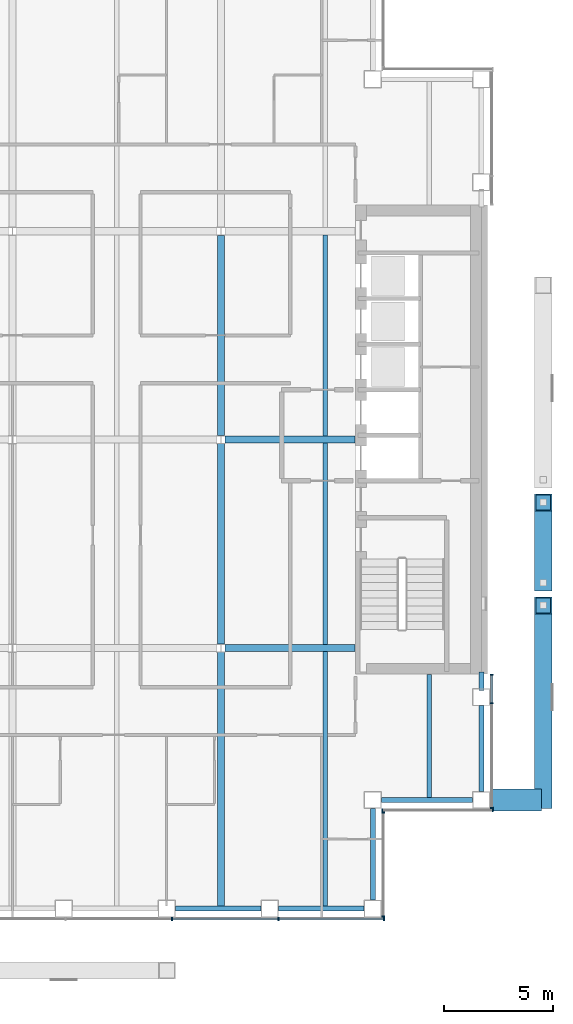
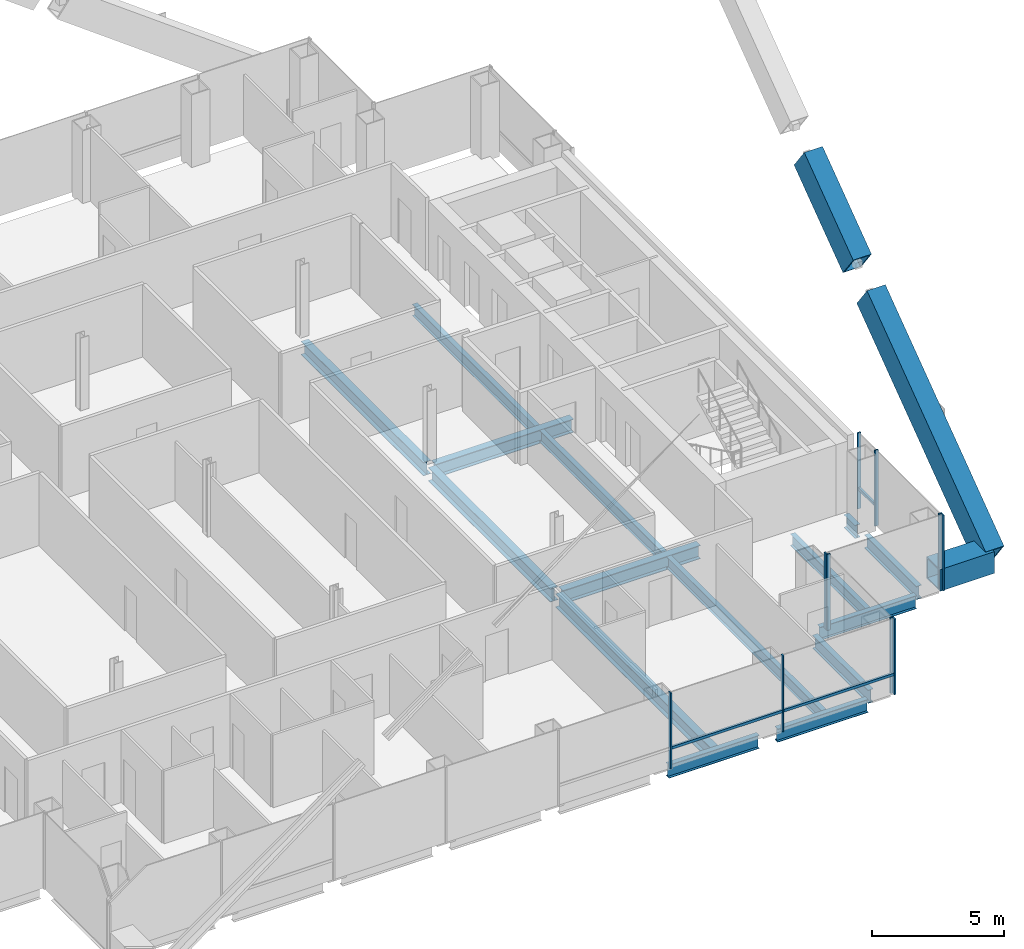
# One storey, part 6 of 17: 16 beams, 15 members, 4 elements without a shape of their own.
"""IFC4 building model written with IfcOpenShell, lengths in metres."""

from ifc_helpers import new_model, si_unit, direction, frame, origin, origin_2d, place, context, subcontext, project, spatial, rectangle, hollow_rectangle, i_section, extrude, material, material_profile, profile_set, type_object, element, aggregate, save


model = new_model("IFC4")

# Units and contexts
model_context = context("Model", 3, precision=1e-05, world=origin(), true_north=direction((0.0, 1.0)))
body_context = subcontext(model_context, "Body", "Model", "MODEL_VIEW")
ifc_project = project(units=[si_unit("LENGTHUNIT", "METRE"), si_unit("AREAUNIT", "SQUARE_METRE"), si_unit("VOLUMEUNIT", "CUBIC_METRE"), si_unit("PLANEANGLEUNIT", "RADIAN"), si_unit("MASSUNIT", "GRAM", prefix="KILO")], contexts=[model_context])

# Site, building, storey
site_placement = place(None, origin())
site = spatial("IfcSite", under=ifc_project, at=site_placement, CompositionType="ELEMENT")
building_placement = place(site_placement, origin())
building = spatial("IfcBuilding", under=site, at=building_placement, Name="Cobrizo Arcos Hotel Tower", CompositionType="ELEMENT")
storey_placement = place(building_placement, frame((0.0, 0.0, 151.5)))
storey = spatial("IfcBuildingStorey", under=building, at=storey_placement, Name="L38", CompositionType="ELEMENT", Elevation=151.5)

# Beam
ifc_material_1 = material(Name="Steel ASTM A572 Grade 50", Category="steel")
ifc_material_profile_1 = material_profile(ifc_material_1, hollow_rectangle(XDim=1.0, YDim=1.0, WallThickness=0.06005859375, at=origin_2d()), Name="BOX 1000X1000X60")
ifc_profile_set_1 = profile_set([ifc_material_profile_1], Name="Steel ASTM A572 Grade 50")
beam_type_1 = type_object("IfcBeamType", Name="BOX 1000X1000X60 brace connector strut", PredefinedType="BEAM", material=ifc_profile_set_1)
beam_1_placement = place(storey_placement, frame((21.989990234375, -16.60009765625, 0.5), z_axis=(1.0, 0.0, 0.0), x_axis=(0.0, 1.0, 0.0)))
element("IfcBeam", 1, at=beam_1_placement, inside=storey, type_object=beam_type_1, Name="Perimeter brace stub BS1, zone Z3, east face, offset -16.60 m, L38", PredefinedType="BEAM", context=body_context, shape_type="SweptSolid", body=[
    extrude(hollow_rectangle(XDim=1.0, YDim=1.0, WallThickness=0.06005859375, at=origin_2d()), origin(), (0.0, 0.0, 1.0), 2.380126953125),
])

# Members
ifc_material_profile_2 = material_profile(ifc_material_1, hollow_rectangle(XDim=0.800048828125, YDim=1.300048828125, WallThickness=0.06005859375, at=origin_2d()), Name="BOX 800X1300X60")
ifc_profile_set_2 = profile_set([ifc_material_profile_2], Name="Steel ASTM A572 Grade 50")
member_type_1 = type_object("IfcMemberType", Name="BOX 800X1300X60 perimeter brace", PredefinedType="BRACE", material=ifc_profile_set_2)
member_1_placement = place(storey_placement, frame((24.449951171875, -16.60009765625, 0.5), z_axis=(0.0, 0.804628681962, 0.593778312305), x_axis=(-1.0, 0.0, 0.0)))
element("IfcMember", 2, at=member_1_placement, inside=storey, type_object=member_type_1, Name="Perimeter brace PBR3, zone Z3, east face, no. 06", PredefinedType="BRACE", context=body_context, shape_type="SweptSolid", body=[
    extrude(hollow_rectangle(XDim=0.800048828125, YDim=1.300048828125, WallThickness=0.06005859375, at=origin_2d()), origin(), (0.0, 0.0, 1.0), 11.138916015625),
])
member_2_placement = place(storey_placement, frame((24.449951171875, -6.591064453125, 7.885986328125), z_axis=(0.0, 0.804612164142, 0.593800694943), x_axis=(-1.0, 0.0, 0.0)))
element("IfcMember", 3, at=member_2_placement, inside=storey, type_object=member_type_1, Name="Perimeter brace PBR3, zone Z3, east face, no. 06b", PredefinedType="BRACE", context=body_context, shape_type="SweptSolid", body=[
    extrude(hollow_rectangle(XDim=0.800048828125, YDim=1.300048828125, WallThickness=0.06005859375, at=origin_2d()), origin(), (0.0, 0.0, 1.0), 4.59423828125),
])

# Curtain wall, members
ifc_material_2 = material(Name="Aluminium 6063-T6 anodised bronze", Category="aluminium")
curtain_wall_type = type_object("IfcCurtainWallType", Name="CW-A guest facade", PredefinedType="NOTDEFINED", material=ifc_material_2)
curtain_wall_1_placement = place(storey_placement, origin())
curtain_wall_1 = element("IfcCurtainWall", 4, at=curtain_wall_1_placement, inside=storey, type_object=curtain_wall_type, Name="CW-A L38 S face", PredefinedType="NOTDEFINED")
ifc_material_profile_3 = material_profile(ifc_material_2, rectangle(XDim=0.14990234375, YDim=0.06005859375, at=origin_2d()), Name="CW-A mullion 150x60")
ifc_profile_set_3 = profile_set([ifc_material_profile_3], Name="Aluminium 6063-T6 anodised bronze")
member_type_2 = type_object("IfcMemberType", Name="CW-A mullion 150x60", PredefinedType="MULLION", material=ifc_profile_set_3)
member_3_placement = place(storey_placement, frame((7.35009765625, -22.074951171875, 0.0), z_axis=(0.0, 0.0, 1.0), x_axis=(0.0, -1.0, 0.0)))
member_3 = element("IfcMember", 5, at=member_3_placement, type_object=member_type_2, Name="CW-A mullion 6", PredefinedType="MULLION", context=body_context, shape_type="SweptSolid", body=[
    extrude(rectangle(XDim=0.14990234375, YDim=0.06005859375, at=origin_2d()), origin(), (0.0, 0.0, 1.0), 3.5),
])
member_4_placement = place(storey_placement, frame((12.25, -22.074951171875, 0.0), z_axis=(0.0, 0.0, 1.0), x_axis=(0.0, -1.0, 0.0)))
member_4 = element("IfcMember", 6, at=member_4_placement, type_object=member_type_2, Name="CW-A mullion 7", PredefinedType="MULLION", context=body_context, shape_type="SweptSolid", body=[
    extrude(rectangle(XDim=0.14990234375, YDim=0.06005859375, at=origin_2d()), origin(), (0.0, 0.0, 1.0), 3.5),
])
member_5_placement = place(storey_placement, frame((17.1201171875, -22.074951171875, 0.0), z_axis=(0.0, 0.0, 1.0), x_axis=(0.0, -1.0, 0.0)))
member_5 = element("IfcMember", 7, at=member_5_placement, type_object=member_type_2, Name="CW-A mullion 8", PredefinedType="MULLION", context=body_context, shape_type="SweptSolid", body=[
    extrude(rectangle(XDim=0.14990234375, YDim=0.06005859375, at=origin_2d()), origin(), (0.0, 0.0, 1.0), 3.5),
])

curtain_wall_2_placement = place(storey_placement, origin())
curtain_wall_2 = element("IfcCurtainWall", 8, at=curtain_wall_2_placement, inside=storey, type_object=curtain_wall_type, Name="CW-A L38 E face", PredefinedType="NOTDEFINED")
member_6_placement = place(storey_placement, frame((17.074951171875, -21.969970703125, 0.0), z_axis=(0.0, 0.0, 1.0), x_axis=(1.0, 0.0, 0.0)))
member_6 = element("IfcMember", 9, at=member_6_placement, type_object=member_type_2, Name="CW-A mullion 1", PredefinedType="MULLION", context=body_context, shape_type="SweptSolid", body=[
    extrude(rectangle(XDim=0.14990234375, YDim=0.06005859375, at=origin_2d()), origin(), (0.0, 0.0, 1.0), 3.5),
])
member_7_placement = place(storey_placement, frame((17.074951171875, -17.179931640625, 0.0), z_axis=(0.0, 0.0, 1.0), x_axis=(1.0, 0.0, 0.0)))
member_7 = element("IfcMember", 10, at=member_7_placement, type_object=member_type_2, Name="CW-A mullion 2", PredefinedType="MULLION", context=body_context, shape_type="SweptSolid", body=[
    extrude(rectangle(XDim=0.14990234375, YDim=0.06005859375, at=origin_2d()), origin(), (0.0, 0.0, 1.0), 3.5),
])
aggregate(curtain_wall_2, [member_6, member_7])

curtain_wall_3_placement = place(storey_placement, origin())
curtain_wall_3 = element("IfcCurtainWall", 11, at=curtain_wall_3_placement, inside=storey, type_object=curtain_wall_type, Name="CW-A L38 S face", PredefinedType="NOTDEFINED")
member_8_placement = place(storey_placement, frame((17.030029296875, -17.074951171875, 0.0), z_axis=(0.0, 0.0, 1.0), x_axis=(0.0, -1.0, 0.0)))
member_8 = element("IfcMember", 12, at=member_8_placement, type_object=member_type_2, Name="CW-A mullion 1", PredefinedType="MULLION", context=body_context, shape_type="SweptSolid", body=[
    extrude(rectangle(XDim=0.14990234375, YDim=0.06005859375, at=origin_2d()), origin(), (0.0, 0.0, 1.0), 3.5),
])
member_9_placement = place(storey_placement, frame((22.1201171875, -17.074951171875, 0.0), z_axis=(0.0, 0.0, 1.0), x_axis=(0.0, -1.0, 0.0)))
member_9 = element("IfcMember", 13, at=member_9_placement, type_object=member_type_2, Name="CW-A mullion 2", PredefinedType="MULLION", context=body_context, shape_type="SweptSolid", body=[
    extrude(rectangle(XDim=0.14990234375, YDim=0.06005859375, at=origin_2d()), origin(), (0.0, 0.0, 1.0), 3.5),
])
aggregate(curtain_wall_3, [member_8, member_9])

curtain_wall_4_placement = place(storey_placement, origin())
curtain_wall_4 = element("IfcCurtainWall", 14, at=curtain_wall_4_placement, inside=storey, type_object=curtain_wall_type, Name="CW-A L38 E face", PredefinedType="NOTDEFINED")
member_10_placement = place(storey_placement, frame((22.074951171875, -16.969970703125, 0.0), z_axis=(0.0, 0.0, 1.0), x_axis=(1.0, 0.0, 0.0)))
member_10 = element("IfcMember", 15, at=member_10_placement, type_object=member_type_2, Name="CW-A mullion 1", PredefinedType="MULLION", context=body_context, shape_type="SweptSolid", body=[
    extrude(rectangle(XDim=0.14990234375, YDim=0.06005859375, at=origin_2d()), origin(), (0.0, 0.0, 1.0), 3.5),
])
member_11_placement = place(storey_placement, frame((22.074951171875, -12.142822265625, 0.0), z_axis=(0.0, 0.0, 1.0), x_axis=(1.0, 0.0, 0.0)))
member_11 = element("IfcMember", 16, at=member_11_placement, type_object=member_type_2, Name="CW-A mullion 2", PredefinedType="MULLION", context=body_context, shape_type="SweptSolid", body=[
    extrude(rectangle(XDim=0.14990234375, YDim=0.06005859375, at=origin_2d()), origin(), (0.0, 0.0, 1.0), 3.5),
])
member_12_placement = place(storey_placement, frame((22.074951171875, -10.830078125, 0.0), z_axis=(0.0, 0.0, 1.0), x_axis=(1.0, 0.0, 0.0)))
member_12 = element("IfcMember", 17, at=member_12_placement, type_object=member_type_2, Name="CW-A mullion 3", PredefinedType="MULLION", context=body_context, shape_type="SweptSolid", body=[
    extrude(rectangle(XDim=0.14990234375, YDim=0.06005859375, at=origin_2d()), origin(), (0.0, 0.0, 1.0), 3.5),
])

# Member
ifc_material_profile_4 = material_profile(ifc_material_2, rectangle(XDim=0.10009765625, YDim=0.1201171875, at=origin_2d()), Name="CW-A transom 120x100")
ifc_profile_set_4 = profile_set([ifc_material_profile_4], Name="Aluminium 6063-T6 anodised bronze")
member_type_3 = type_object("IfcMemberType", Name="CW-A transom 120x100", PredefinedType="USERDEFINED", material=ifc_profile_set_4)
member_13_placement = place(storey_placement, frame((7.3798828125, -22.074951171875, 0.929931640625), z_axis=(1.0, 0.0, 0.0), x_axis=(0.0, 1.0, 0.0)))
member_13 = element("IfcMember", 18, at=member_13_placement, type_object=member_type_3, Name="CW-A transom 1371", ObjectType="TRANSOM", PredefinedType="USERDEFINED", context=body_context, shape_type="SweptSolid", body=[
    extrude(rectangle(XDim=0.10009765625, YDim=0.1201171875, at=origin_2d()), origin(), (0.0, 0.0, 1.0), 4.840087890625),
])

member_14_placement = place(storey_placement, frame((12.280029296875, -22.074951171875, 0.929931640625), z_axis=(1.0, 0.0, 0.0), x_axis=(0.0, 1.0, 0.0)))
member_14 = element("IfcMember", 19, at=member_14_placement, type_object=member_type_3, Name="CW-A transom 1372", ObjectType="TRANSOM", PredefinedType="USERDEFINED", context=body_context, shape_type="SweptSolid", body=[
    extrude(rectangle(XDim=0.10009765625, YDim=0.1201171875, at=origin_2d()), origin(), (0.0, 0.0, 1.0), 4.81005859375),
])

aggregate(curtain_wall_1, [member_3, member_4, member_5, member_13, member_14])

member_15_placement = place(storey_placement, frame((22.074951171875, -12.11279296875, 0.929931640625), z_axis=(0.0, 1.0, 0.0), x_axis=(-1.0, 0.0, 0.0)))
member_15 = element("IfcMember", 20, at=member_15_placement, type_object=member_type_3, Name="CW-A transom 1376", ObjectType="TRANSOM", PredefinedType="USERDEFINED", context=body_context, shape_type="SweptSolid", body=[
    extrude(rectangle(XDim=0.10009765625, YDim=0.1201171875, at=origin_2d()), origin(), (0.0, 0.0, 1.0), 1.252685546875),
])

aggregate(curtain_wall_4, [member_10, member_11, member_12, member_15])

# Beams
ifc_material_3 = material(Name="Steel ASTM A992 Grade 50", Category="steel")
ifc_material_profile_5 = material_profile(ifc_material_3, i_section(OverallWidth=0.209228515625, OverallDepth=0.533447265625, WebThickness=0.01025390625, FlangeThickness=0.015625, at=origin_2d()), Name="W21X62")
ifc_profile_set_5 = profile_set([ifc_material_profile_5], Name="Steel ASTM A992 Grade 50")
beam_type_2 = type_object("IfcBeamType", Name="W21X62 joist", PredefinedType="JOIST", material=ifc_profile_set_5)
beam_2_placement = place(storey_placement, frame((14.39990234375, -21.510009765625, -0.416748046875), z_axis=(0.0, 1.0, 0.0), x_axis=(-1.0, 0.0, 0.0)))
element("IfcBeam", 21, at=beam_2_placement, inside=storey, type_object=beam_type_2, Name="Floor joist J1, L38, no. 015", PredefinedType="JOIST", context=body_context, shape_type="SweptSolid", body=[
    extrude(i_section(OverallWidth=0.209228515625, OverallDepth=0.533447265625, WebThickness=0.01025390625, FlangeThickness=0.015625, at=origin_2d()), origin(), (0.0, 0.0, 1.0), 11.74609375),
])
for number, where, z_axis, x_axis, name in (
    (22, (14.39990234375, -9.43603515625, -0.416748046875), (0.0, 1.0, 0.0), (-1.0, 0.0, 0.0), "Floor joist J1, L38, no. 016"),
    (23, (14.39990234375, 0.163818359375, -0.416748046875), (0.0, 1.0, 0.0), (-1.0, 0.0, 0.0), "Floor joist J1, L38, no. 017"),
):
    element("IfcBeam", number, at=place(storey_placement, frame(where, z_axis=z_axis, x_axis=x_axis)), inside=storey, type_object=beam_type_2, Name=name, PredefinedType="JOIST", context=body_context, shape_type="SweptSolid", body=[
        extrude(i_section(OverallWidth=0.209228515625, OverallDepth=0.533447265625, WebThickness=0.01025390625, FlangeThickness=0.015625, at=origin_2d()), origin(), (0.0, 0.0, 1.0), 9.272216796875),
    ])
beam_3_placement = place(storey_placement, frame((19.199951171875, -16.510009765625, -0.416748046875), z_axis=(0.0, 1.0, 0.0), x_axis=(-1.0, 0.0, 0.0)))
element("IfcBeam", 24, at=beam_3_placement, inside=storey, type_object=beam_type_2, Name="Floor joist J1, L38, no. 019", PredefinedType="JOIST", context=body_context, shape_type="SweptSolid", body=[
    extrude(i_section(OverallWidth=0.209228515625, OverallDepth=0.533447265625, WebThickness=0.01025390625, FlangeThickness=0.015625, at=origin_2d()), origin(), (0.0, 0.0, 1.0), 5.699951171875),
])
ifc_material_profile_6 = material_profile(ifc_material_3, i_section(OverallWidth=0.32763671875, OverallDepth=0.622314453125, WebThickness=0.015380859375, FlangeThickness=0.0244140625, at=origin_2d()), Name="W24X131")
ifc_profile_set_6 = profile_set([ifc_material_profile_6], Name="Steel ASTM A992 Grade 50")
beam_type_3 = type_object("IfcBeamType", Name="W24X131 girder", PredefinedType="BEAM", material=ifc_profile_set_6)
for number, where, z_axis, x_axis, name in (
    (25, (9.78662109375, -9.60009765625, -0.461181640625), (1.0, 0.0, 0.0), (0.0, 1.0, 0.0), "Floor girder G1, L38, no. 004"),
    (26, (9.78662109375, 0.0, -0.461181640625), (1.0, 0.0, 0.0), (0.0, 1.0, 0.0), "Floor girder G1, L38, no. 008"),
):
    element("IfcBeam", number, at=place(storey_placement, frame(where, z_axis=z_axis, x_axis=x_axis)), inside=storey, type_object=beam_type_3, Name=name, PredefinedType="BEAM", context=body_context, shape_type="SweptSolid", body=[
        extrude(i_section(OverallWidth=0.32763671875, OverallDepth=0.622314453125, WebThickness=0.015380859375, FlangeThickness=0.0244140625, at=origin_2d()), origin(), (0.0, 0.0, 1.0), 6.00341796875),
    ])
beam_4_placement = place(storey_placement, frame((9.60009765625, -21.510009765625, -0.461181640625), z_axis=(0.0, 1.0, 0.0), x_axis=(-1.0, 0.0, 0.0)))
element("IfcBeam", 27, at=beam_4_placement, inside=storey, type_object=beam_type_3, Name="Floor girder G1, L38, no. 021", PredefinedType="BEAM", context=body_context, shape_type="SweptSolid", body=[
    extrude(i_section(OverallWidth=0.32763671875, OverallDepth=0.622314453125, WebThickness=0.015380859375, FlangeThickness=0.0244140625, at=origin_2d()), origin(), (0.0, 0.0, 1.0), 11.723388671875),
])
for number, where, z_axis, x_axis, name in (
    (28, (9.60009765625, -9.413330078125, -0.461181640625), (0.0, 1.0, 0.0), (-1.0, 0.0, 0.0), "Floor girder G1, L38, no. 022"),
    (29, (9.60009765625, 0.186767578125, -0.461181640625), (0.0, 1.0, 0.0), (-1.0, 0.0, 0.0), "Floor girder G1, L38, no. 023"),
):
    element("IfcBeam", number, at=place(storey_placement, frame(where, z_axis=z_axis, x_axis=x_axis)), inside=storey, type_object=beam_type_3, Name=name, PredefinedType="BEAM", context=body_context, shape_type="SweptSolid", body=[
        extrude(i_section(OverallWidth=0.32763671875, OverallDepth=0.622314453125, WebThickness=0.015380859375, FlangeThickness=0.0244140625, at=origin_2d()), origin(), (0.0, 0.0, 1.0), 9.2265625),
    ])
ifc_material_profile_7 = material_profile(ifc_material_3, i_section(OverallWidth=0.228271484375, OverallDepth=0.607177734375, WebThickness=0.01123046875, FlangeThickness=0.017333984375, at=origin_2d()), Name="W24X76")
ifc_profile_set_7 = profile_set([ifc_material_profile_7], Name="Steel ASTM A992 Grade 50")
beam_type_4 = type_object("IfcBeamType", Name="W24X76 spandrel", PredefinedType="SPANDREL", material=ifc_profile_set_7)
beam_5_placement = place(storey_placement, frame((7.513916015625, -21.60009765625, -0.45361328125), z_axis=(1.0, 0.0, 0.0), x_axis=(0.0, 1.0, 0.0)))
element("IfcBeam", 30, at=beam_5_placement, inside=storey, type_object=beam_type_4, Name="Spandrel beam W24X76, L38, no. 006", PredefinedType="SPANDREL", context=body_context, shape_type="SweptSolid", body=[
    extrude(i_section(OverallWidth=0.228271484375, OverallDepth=0.607177734375, WebThickness=0.01123046875, FlangeThickness=0.017333984375, at=origin_2d()), origin(), (0.0, 0.0, 1.0), 3.943115234375),
])
beam_6_placement = place(storey_placement, frame((12.257080078125, -21.60009765625, -0.45361328125), z_axis=(1.0, 0.0, 0.0), x_axis=(0.0, 1.0, 0.0)))
element("IfcBeam", 31, at=beam_6_placement, inside=storey, type_object=beam_type_4, Name="Spandrel beam W24X76, L38, no. 007", PredefinedType="SPANDREL", context=body_context, shape_type="SweptSolid", body=[
    extrude(i_section(OverallWidth=0.228271484375, OverallDepth=0.607177734375, WebThickness=0.01123046875, FlangeThickness=0.017333984375, at=origin_2d()), origin(), (0.0, 0.0, 1.0), 3.94287109375),
])
for number, where, z_axis, x_axis, name in (
    (32, (16.60009765625, -21.199951171875, -0.45361328125), (0.0, 1.0, 0.0), (-1.0, 0.0, 0.0), "Spandrel beam W24X76, L38, no. 008"),
    (33, (17.0, -16.60009765625, -0.45361328125), (1.0, 0.0, 0.0), (0.0, 1.0, 0.0), "Spandrel beam W24X76, L38, no. 009"),
):
    element("IfcBeam", number, at=place(storey_placement, frame(where, z_axis=z_axis, x_axis=x_axis)), inside=storey, type_object=beam_type_4, Name=name, PredefinedType="SPANDREL", context=body_context, shape_type="SweptSolid", body=[
        extrude(i_section(OverallWidth=0.228271484375, OverallDepth=0.607177734375, WebThickness=0.01123046875, FlangeThickness=0.017333984375, at=origin_2d()), origin(), (0.0, 0.0, 1.0), 4.199951171875),
    ])
beam_7_placement = place(storey_placement, frame((21.60009765625, -16.199951171875, -0.45361328125), z_axis=(0.0, 1.0, 0.0), x_axis=(-1.0, 0.0, 0.0)))
element("IfcBeam", 34, at=beam_7_placement, inside=storey, type_object=beam_type_4, Name="Spandrel beam W24X76, L38, no. 010", PredefinedType="SPANDREL", context=body_context, shape_type="SweptSolid", body=[
    extrude(i_section(OverallWidth=0.228271484375, OverallDepth=0.607177734375, WebThickness=0.01123046875, FlangeThickness=0.017333984375, at=origin_2d()), origin(), (0.0, 0.0, 1.0), 3.94287109375),
])
beam_8_placement = place(storey_placement, frame((21.60009765625, -11.556884765625, -0.45361328125), z_axis=(0.0, 1.0, 0.0), x_axis=(-1.0, 0.0, 0.0)))
element("IfcBeam", 35, at=beam_8_placement, inside=storey, type_object=beam_type_4, Name="Spandrel beam W24X76, L38, no. 011", PredefinedType="SPANDREL", context=body_context, shape_type="SweptSolid", body=[
    extrude(i_section(OverallWidth=0.228271484375, OverallDepth=0.607177734375, WebThickness=0.01123046875, FlangeThickness=0.017333984375, at=origin_2d()), origin(), (0.0, 0.0, 1.0), 0.846923828125),
])

save(model, "model.ifc")
